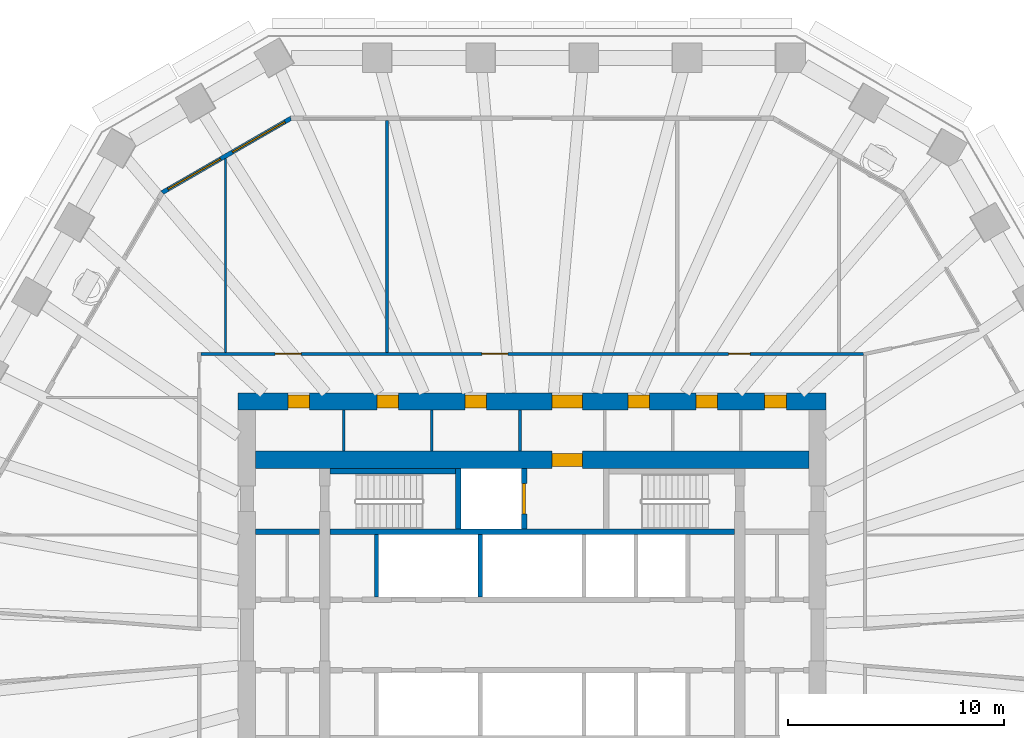
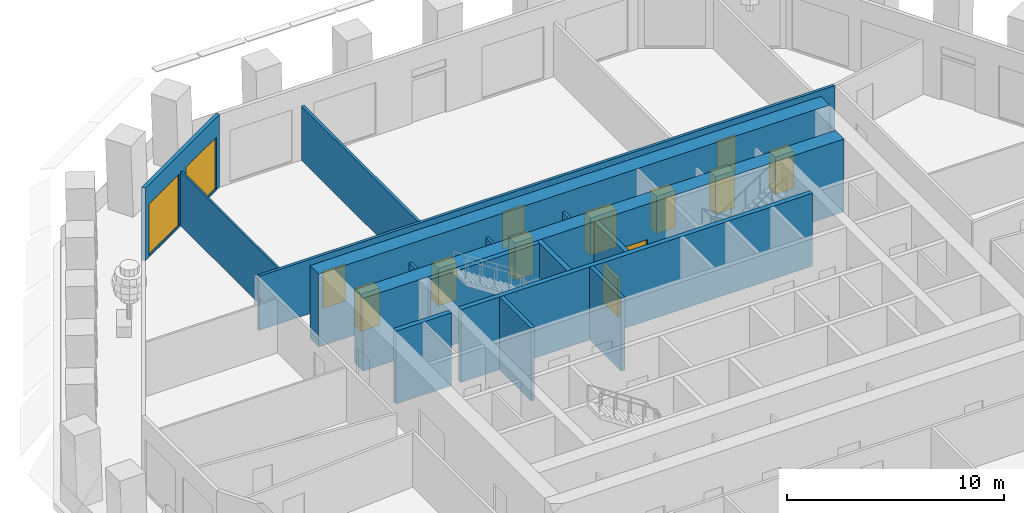
# One storey, part 7 of 13: 16 walls, 12 doors, 2 windows, 14 openings.
"""IFC4 building model written with IfcOpenShell, lengths in metres."""

import ifcopenshell
import ifcopenshell.guid

model = None  # the IFC model being written
_history = None  # IfcOwnerHistory: only IFC2X3 demands one
_inside = {}  # id of a spatial element -> (the spatial element, [elements in it])
_under = {}  # id of a project, library or spatial element -> (it, [spatial elements below it])
_declared = {}  # id of a project -> (the project, [libraries it declares])
_typed = {}  # id of a type object -> (the type object, [elements of that type])
_made_of = {}  # id of a material, layer set ... -> (it, [elements and type objects made of it])


def new_model(schema):
    """Start an empty IFC model of exactly this schema.

    Asked for "IFC4X3", IfcOpenShell would pick the latest addendum, in which some entities
    have other attributes; the version numbers below select the first issue.
    IFC2X3 requires an IfcOwnerHistory on every rooted entity: one is made here for all.
    """
    global model, _history
    if schema == "IFC4X3":
        model = ifcopenshell.file(schema_version=(4, 3, 0, 0))
    else:
        model = ifcopenshell.file(schema=schema)
    _inside.clear()
    _under.clear()
    _declared.clear()
    _typed.clear()
    _made_of.clear()
    _history = None
    if model.schema == "IFC2X3":
        org = make("IfcOrganization", Name="unknown")
        user = make(
            "IfcPersonAndOrganization",
            ThePerson=make("IfcPerson", FamilyName="unknown"),
            TheOrganization=org,
        )
        app = make(
            "IfcApplication",
            ApplicationDeveloper=org,
            Version="unknown",
            ApplicationFullName="unknown",
            ApplicationIdentifier="unknown",
        )
        _history = make(
            "IfcOwnerHistory",
            OwningUser=user,
            OwningApplication=app,
            ChangeAction="ADDED",
            CreationDate=0,
        )
    return model


def make(cls, **values):
    """One entity of the class cls with the attributes given. An attribute that is None is left unset."""
    return model.create_entity(
        cls, **{name: value for name, value in values.items() if value is not None}
    )


def rooted(cls, **values):
    """An entity with a GlobalId (a new one), such as an element, a storey or a relation."""
    return make(cls, GlobalId=ifcopenshell.guid.new(), OwnerHistory=_history, **values)


def si_unit(unit_type, name, prefix=None):
    """IfcSIUnit, for example si_unit("LENGTHUNIT", "METRE", prefix="MILLI")."""
    return make("IfcSIUnit", UnitType=unit_type, Prefix=prefix, Name=name)


def assignment(units):
    """IfcUnitAssignment: the units of a project."""
    return None if units is None else make("IfcUnitAssignment", Units=units)


def point(xyz):
    """IfcCartesianPoint."""
    return None if xyz is None else make("IfcCartesianPoint", Coordinates=xyz)


def direction(xyz):
    """IfcDirection."""
    return None if xyz is None else make("IfcDirection", DirectionRatios=xyz)


def frame(location, z_axis=None, x_axis=None):
    """IfcAxis2Placement3D, a coordinate frame: its origin and axes. An axis left out is left unset."""
    return make(
        "IfcAxis2Placement3D",
        Location=point(location),
        Axis=direction(z_axis),
        RefDirection=direction(x_axis),
    )


def frame_2d(location, x_axis=None):
    """IfcAxis2Placement2D, a coordinate frame in the plane: its origin and x axis."""
    return make(
        "IfcAxis2Placement2D", Location=point(location), RefDirection=direction(x_axis)
    )


def origin():
    """The frame at (0, 0, 0) with its axes left unset."""
    return frame((0.0, 0.0, 0.0))


def place(relative_to, where):
    """IfcLocalPlacement: puts the frame where relative to a parent placement (None: the world)."""
    return make(
        "IfcLocalPlacement", PlacementRelTo=relative_to, RelativePlacement=where
    )


def context(
    kind, dimensions, precision=None, world=None, true_north=None, identifier=None
):
    """IfcGeometricRepresentationContext, for example the 3D "Model" context."""
    return make(
        "IfcGeometricRepresentationContext",
        ContextIdentifier=identifier,
        ContextType=kind,
        CoordinateSpaceDimension=dimensions,
        Precision=precision,
        WorldCoordinateSystem=world,
        TrueNorth=true_north,
    )


def subcontext(parent, identifier, kind, view, scale=None):
    """IfcGeometricRepresentationSubContext, for example "Body" below "Model"."""
    return make(
        "IfcGeometricRepresentationSubContext",
        ContextIdentifier=identifier,
        ContextType=kind,
        ParentContext=parent,
        TargetScale=scale,
        TargetView=view,
    )


def project(units=None, contexts=None):
    """IfcProject with its units and contexts."""
    return rooted(
        "IfcProject",
        Name="project",
        RepresentationContexts=contexts,
        UnitsInContext=assignment(units),
    )


def spatial(cls, under=None, at=None, **own):
    """A site, building, storey or space (cls), placed at a placement, below another one or the project."""
    s = rooted(cls, ObjectPlacement=at, **own)
    if under is not None:
        _under.setdefault(under.id(), (under, []))[1].append(s)
    return s


def polyline(points):
    """IfcPolyline through the points."""
    return make("IfcPolyline", Points=[point(p) for p in points])


def profile(cls, at=None, kind="AREA", **sizes):
    """A parametric profile (cls). Its sizes go by their IFC names, for example OverallWidth=200.0."""
    return make(cls, ProfileType=kind, Position=at, **sizes)


def rectangle(**sizes):
    """IfcRectangleProfileDef."""
    return profile("IfcRectangleProfileDef", **sizes)


def outline(outer, holes=None, kind="AREA"):
    """IfcArbitraryClosedProfileDef: a profile drawn as a closed curve; with holes, ...WithVoids."""
    if holes is None:
        return make("IfcArbitraryClosedProfileDef", ProfileType=kind, OuterCurve=outer)
    return make(
        "IfcArbitraryProfileDefWithVoids",
        ProfileType=kind,
        OuterCurve=outer,
        InnerCurves=holes,
    )


def extrude(swept, where, along, depth):
    """IfcExtrudedAreaSolid: the profile swept, set in the frame where, extruded along a direction by depth."""
    return make(
        "IfcExtrudedAreaSolid",
        SweptArea=swept,
        Position=where,
        ExtrudedDirection=direction(along),
        Depth=depth,
    )


def shape(context_of_items, identifier, shape_type, items):
    """IfcShapeRepresentation: the items that make up one representation, for example the "Body"."""
    return make(
        "IfcShapeRepresentation",
        ContextOfItems=context_of_items,
        RepresentationIdentifier=identifier,
        RepresentationType=shape_type,
        Items=items,
    )


def material(Name=None, Category=None):
    """IfcMaterial."""
    return make("IfcMaterial", Name=Name, Category=Category)


def layer(
    of_material, thickness, ventilated=None, Name=None, Category=None, Priority=None
):
    """IfcMaterialLayer: one layer of a wall or slab, of a material (None: an air gap)."""
    return make(
        "IfcMaterialLayer",
        Material=of_material,
        LayerThickness=thickness,
        IsVentilated=ventilated,
        Name=Name,
        Category=Category,
        Priority=Priority,
    )


def layer_set(layers, Name=None):
    """IfcMaterialLayerSet."""
    return make("IfcMaterialLayerSet", MaterialLayers=layers, LayerSetName=Name)


def made_of(thing, what):
    """Note that an element or type object is made of a material, layer set ...; save() writes the relation."""
    if what is not None:
        _made_of.setdefault(what.id(), (what, []))[1].append(thing)
    return thing


def type_object(cls, material=None, **own):
    """A type object (cls), such as IfcWallType, which elements share."""
    return made_of(rooted(cls, **own), material)


def element(
    cls,
    number,
    at=None,
    inside=None,
    cuts=None,
    type_object=None,
    material=None,
    context=None,
    identifier="Body",
    shape_type=None,
    held_by="IfcProductDefinitionShape",
    body=None,
    shapes=None,
    **own,
):
    """One element of the class cls, such as IfcWall. Its Tag is "e" and its number.

    at: its placement. inside: the storey or other place that contains it. cuts: it is an
    opening in that element (IfcRelVoidsElement). A single representation is given by context,
    identifier, shape_type and body (its items); several are given by shapes. held_by: the class
    of the entity that holds the representations. save() writes the other relations.
    """
    e = rooted(cls, Tag="e%d" % number, ObjectPlacement=at, **own)
    if body is not None:
        shapes = [shape(context, identifier, shape_type, body)]
    if shapes is not None:
        e.Representation = make(held_by, Representations=shapes)
    if inside is not None:
        _inside.setdefault(inside.id(), (inside, []))[1].append(e)
    if cuts is not None:
        rooted(
            "IfcRelVoidsElement", RelatingBuildingElement=cuts, RelatedOpeningElement=e
        )
    if type_object is not None:
        _typed.setdefault(type_object.id(), (type_object, []))[1].append(e)
    return made_of(e, material)


def fill(opening, filler):
    """IfcRelFillsElement: the door or window that sits in an opening."""
    return rooted(
        "IfcRelFillsElement",
        RelatingOpeningElement=opening,
        RelatedBuildingElement=filler,
    )


def aggregate(whole, parts):
    """IfcRelAggregates: a whole, such as a stair, and the parts it consists of."""
    return rooted("IfcRelAggregates", RelatingObject=whole, RelatedObjects=parts)


def save(model, path):
    """Write the relations noted so far, then the file.

    IfcRelAggregates (storeys below a building ...), IfcRelContainedInSpatialStructure (elements
    in a storey), IfcRelDefinesByType, IfcRelAssociatesMaterial and IfcRelDeclares: one each for
    every whole, place, type object, material and project.
    """
    for whole, parts in _under.values():
        aggregate(whole, parts)
    for where, things in _inside.values():
        rooted(
            "IfcRelContainedInSpatialStructure",
            RelatedElements=things,
            RelatingStructure=where,
        )
    for kind, things in _typed.values():
        rooted("IfcRelDefinesByType", RelatedObjects=things, RelatingType=kind)
    for what, things in _made_of.values():
        rooted("IfcRelAssociatesMaterial", RelatedObjects=things, RelatingMaterial=what)
    for by, libraries in _declared.values():
        rooted("IfcRelDeclares", RelatingContext=by, RelatedDefinitions=libraries)
    model.write(path)


model = new_model("IFC4")

# Units and contexts
model_context = context("Model", 3, precision=1e-05, world=origin(), true_north=direction((0.0, 1.0)))
body_context = subcontext(model_context, "Body", "Model", "MODEL_VIEW")
ifc_project = project(units=[si_unit("LENGTHUNIT", "METRE"), si_unit("AREAUNIT", "SQUARE_METRE"), si_unit("VOLUMEUNIT", "CUBIC_METRE"), si_unit("PLANEANGLEUNIT", "RADIAN"), si_unit("MASSUNIT", "GRAM", prefix="KILO")], contexts=[model_context])

# Site, building, storey
site_placement = place(None, origin())
site = spatial("IfcSite", under=ifc_project, at=site_placement, CompositionType="ELEMENT")
building_placement = place(site_placement, origin())
building = spatial("IfcBuilding", under=site, at=building_placement, Name="Frailejon Research Tower", CompositionType="ELEMENT")
storey_placement = place(building_placement, frame((0.0, 0.0, 117.60009765625)))
storey = spatial("IfcBuildingStorey", under=building, at=storey_placement, Name="L25", CompositionType="ELEMENT", Elevation=117.60009765625)

# Walls
ifc_material_1 = material(Name="Plasterboard on steel studs", Category="steel")
ifc_layer_1 = layer(ifc_material_1, 0.125)
ifc_layer_set_1 = layer_set([ifc_layer_1], Name="Core partition 125")
wall_type_1 = type_object("IfcWallType", Name="Core partition 125", PredefinedType="PARTITIONING", material=ifc_layer_set_1)
for number, where, z_axis, x_axis, name in (
    (1, (-8.720703125, 8.5, 0.0), (0.0, 0.0, 1.0), (0.0, 1.0, 0.0), "Core partition"),
    (2, (-4.6416015625, 8.5, 0.0), (0.0, 0.0, 1.0), (0.0, 1.0, 0.0), "Core partition"),
    (3, (-0.5625, 8.5, 0.0), (0.0, 0.0, 1.0), (0.0, 1.0, 0.0), "Core partition"),
):
    element("IfcWall", number, at=place(storey_placement, frame(where, z_axis=z_axis, x_axis=x_axis)), inside=storey, type_object=wall_type_1, Name=name, PredefinedType="PARTITIONING", context=body_context, shape_type="SweptSolid", body=[
        extrude(rectangle(XDim=1.89990234375, YDim=0.125, at=frame_2d((0.949951171875, 0.0))), origin(), (0.0, 0.0, 1.0), 3.0498046875),
    ])

# Wall, openings, doors
ifc_material_2 = material(Name="Concrete C70/85", Category="concrete")
ifc_layer_2 = layer(ifc_material_2, 0.800048828125)
ifc_layer_set_2 = layer_set([ifc_layer_2], Name="Core shear wall 800 C70/85")
wall_type_2 = type_object("IfcWallType", Name="Core shear wall 800 C70/85", PredefinedType="SHEAR", material=ifc_layer_set_2)
wall_1_placement = place(storey_placement, frame((-13.60009765625, 10.800048828125, 0.0), z_axis=(0.0, 0.0, 1.0), x_axis=(1.0, 0.0, 0.0)))
wall_1 = element("IfcWall", 4, at=wall_1_placement, inside=storey, type_object=wall_type_2, Name="Core shear wall", PredefinedType="SHEAR", context=body_context, shape_type="SweptSolid", body=[
    extrude(rectangle(XDim=27.2001953125, YDim=0.800048828125, at=frame_2d((13.60009765625, 0.0))), origin(), (0.0, 0.0, 1.0), 4.099853515625),
])
opening_1_placement = place(wall_1_placement, frame((2.308349609375, 0.0, 0.0)))
opening_1 = element("IfcOpeningElement", 5, at=opening_1_placement, cuts=wall_1, Name="Opening D4", PredefinedType="OPENING", context=body_context, shape_type="SweptSolid", body=[
    extrude(rectangle(XDim=1.0, YDim=2.10009765625, at=frame_2d((0.5, 1.050048828125))), frame((0.0, 0.409912109375, 0.0), z_axis=(0.0, -1.0, 0.0), x_axis=(1.0, 0.0, 0.0)), (0.0, 0.0, 1.0), 0.820068359375),
])
opening_2_placement = place(wall_1_placement, frame((6.418701171875, 0.0, 0.0)))
opening_2 = element("IfcOpeningElement", 6, at=opening_2_placement, cuts=wall_1, Name="Opening D4", PredefinedType="OPENING", context=body_context, shape_type="SweptSolid", body=[
    extrude(rectangle(XDim=1.0, YDim=2.10009765625, at=frame_2d((0.5, 1.050048828125))), frame((0.0, 0.409912109375, 0.0), z_axis=(0.0, -1.0, 0.0), x_axis=(1.0, 0.0, 0.0)), (0.0, 0.0, 1.0), 0.820068359375),
])
opening_3_placement = place(wall_1_placement, frame((10.497802734375, 0.0, 0.0)))
opening_3 = element("IfcOpeningElement", 7, at=opening_3_placement, cuts=wall_1, Name="Opening D4", PredefinedType="OPENING", context=body_context, shape_type="SweptSolid", body=[
    extrude(rectangle(XDim=1.0, YDim=2.10009765625, at=frame_2d((0.5, 1.050048828125))), frame((0.0, 0.409912109375, 0.0), z_axis=(0.0, -1.0, 0.0), x_axis=(1.0, 0.0, 0.0)), (0.0, 0.0, 1.0), 0.820068359375),
])
opening_4_placement = place(wall_1_placement, frame((18.035400390625, 0.0, 0.0)))
opening_4 = element("IfcOpeningElement", 8, at=opening_4_placement, cuts=wall_1, Name="Opening D4", PredefinedType="OPENING", context=body_context, shape_type="SweptSolid", body=[
    extrude(rectangle(XDim=1.0, YDim=2.10009765625, at=frame_2d((0.5, 1.050048828125))), frame((0.0, 0.409912109375, 0.0), z_axis=(0.0, -1.0, 0.0), x_axis=(1.0, 0.0, 0.0)), (0.0, 0.0, 1.0), 0.820068359375),
])
opening_5_placement = place(wall_1_placement, frame((21.18115234375, 0.0, 0.0)))
opening_5 = element("IfcOpeningElement", 9, at=opening_5_placement, cuts=wall_1, Name="Opening D4", PredefinedType="OPENING", context=body_context, shape_type="SweptSolid", body=[
    extrude(rectangle(XDim=1.0, YDim=2.10009765625, at=frame_2d((0.5, 1.050048828125))), frame((0.0, 0.409912109375, 0.0), z_axis=(0.0, -1.0, 0.0), x_axis=(1.0, 0.0, 0.0)), (0.0, 0.0, 1.0), 0.820068359375),
])
opening_6_placement = place(wall_1_placement, frame((24.3583984375, 0.0, 0.0)))
opening_6 = element("IfcOpeningElement", 10, at=opening_6_placement, cuts=wall_1, Name="Opening D4", PredefinedType="OPENING", context=body_context, shape_type="SweptSolid", body=[
    extrude(rectangle(XDim=1.0, YDim=2.10009765625, at=frame_2d((0.5, 1.050048828125))), frame((0.0, 0.409912109375, 0.0), z_axis=(0.0, -1.0, 0.0), x_axis=(1.0, 0.0, 0.0)), (0.0, 0.0, 1.0), 0.820068359375),
])
opening_7_placement = place(wall_1_placement, frame((14.52490234375, 0.0, 0.0)))
opening_7 = element("IfcOpeningElement", 11, at=opening_7_placement, cuts=wall_1, Name="Opening D9", PredefinedType="OPENING", context=body_context, shape_type="SweptSolid", body=[
    extrude(rectangle(XDim=1.39990234375, YDim=2.10009765625, at=frame_2d((0.699951171875, 1.050048828125))), frame((0.0, 0.409912109375, 0.0), z_axis=(0.0, -1.0, 0.0), x_axis=(1.0, 0.0, 0.0)), (0.0, 0.0, 1.0), 0.820068359375),
])
ifc_material_3 = material(Name="Steel", Category="steel")
door_type_1 = type_object("IfcDoorType", Name="Goods lobby door", OperationType="DOUBLE_DOOR_SINGLE_SWING", PredefinedType="DOOR", material=ifc_material_3)
door_1_placement = place(opening_7_placement, origin())
door_1 = element("IfcDoor", 12, at=door_1_placement, inside=storey, type_object=door_type_1, Name="Passage door", OperationType="DOUBLE_DOOR_SINGLE_SWING", OverallHeight=2.10009765625, OverallWidth=1.39990234375, PredefinedType="DOOR", context=body_context, shape_type="SweptSolid", body=[
    extrude(rectangle(XDim=1.39990234375, YDim=2.10009765625, at=frame_2d((0.699951171875, 1.050048828125))), frame((0.0, 0.300048828125, 0.0), z_axis=(0.0, -1.0, 0.0), x_axis=(1.0, 0.0, 0.0)), (0.0, 0.0, 1.0), 0.60009765625),
])
fill(opening_7, door_1)
ifc_material_4 = material(Name="Steel", Category="steel")
door_type_2 = type_object("IfcDoorType", Name="Service door", OperationType="SINGLE_SWING_LEFT", PredefinedType="DOOR", material=ifc_material_4)
door_2_placement = place(opening_1_placement, origin())
door_2 = element("IfcDoor", 13, at=door_2_placement, inside=storey, type_object=door_type_2, Name="Room door", OperationType="SINGLE_SWING_LEFT", OverallHeight=2.10009765625, OverallWidth=1.0, PredefinedType="DOOR", context=body_context, shape_type="SweptSolid", body=[
    extrude(rectangle(XDim=1.0, YDim=2.10009765625, at=frame_2d((0.5, 1.050048828125))), frame((0.0, 0.300048828125, 0.0), z_axis=(0.0, -1.0, 0.0), x_axis=(1.0, 0.0, 0.0)), (0.0, 0.0, 1.0), 0.60009765625),
])
fill(opening_1, door_2)
door_3_placement = place(opening_2_placement, origin())
door_3 = element("IfcDoor", 14, at=door_3_placement, inside=storey, type_object=door_type_2, Name="Room door", OperationType="SINGLE_SWING_RIGHT", OverallHeight=2.10009765625, OverallWidth=1.0, PredefinedType="DOOR", context=body_context, shape_type="SweptSolid", body=[
    extrude(rectangle(XDim=1.0, YDim=2.10009765625, at=frame_2d((0.5, 1.050048828125))), frame((0.0, 0.300048828125, 0.0), z_axis=(0.0, -1.0, 0.0), x_axis=(1.0, 0.0, 0.0)), (0.0, 0.0, 1.0), 0.60009765625),
])
fill(opening_2, door_3)
door_4_placement = place(opening_3_placement, origin())
door_4 = element("IfcDoor", 15, at=door_4_placement, inside=storey, type_object=door_type_2, Name="Room door", OperationType="SINGLE_SWING_LEFT", OverallHeight=2.10009765625, OverallWidth=1.0, PredefinedType="DOOR", context=body_context, shape_type="SweptSolid", body=[
    extrude(rectangle(XDim=1.0, YDim=2.10009765625, at=frame_2d((0.5, 1.050048828125))), frame((0.0, 0.300048828125, 0.0), z_axis=(0.0, -1.0, 0.0), x_axis=(1.0, 0.0, 0.0)), (0.0, 0.0, 1.0), 0.60009765625),
])
fill(opening_3, door_4)
door_5_placement = place(opening_4_placement, origin())
door_5 = element("IfcDoor", 16, at=door_5_placement, inside=storey, type_object=door_type_2, Name="Room door", OperationType="SINGLE_SWING_RIGHT", OverallHeight=2.10009765625, OverallWidth=1.0, PredefinedType="DOOR", context=body_context, shape_type="SweptSolid", body=[
    extrude(rectangle(XDim=1.0, YDim=2.10009765625, at=frame_2d((0.5, 1.050048828125))), frame((0.0, 0.300048828125, 0.0), z_axis=(0.0, -1.0, 0.0), x_axis=(1.0, 0.0, 0.0)), (0.0, 0.0, 1.0), 0.60009765625),
])
fill(opening_4, door_5)
door_6_placement = place(opening_5_placement, origin())
door_6 = element("IfcDoor", 17, at=door_6_placement, inside=storey, type_object=door_type_2, Name="Room door", OperationType="SINGLE_SWING_LEFT", OverallHeight=2.10009765625, OverallWidth=1.0, PredefinedType="DOOR", context=body_context, shape_type="SweptSolid", body=[
    extrude(rectangle(XDim=1.0, YDim=2.10009765625, at=frame_2d((0.5, 1.050048828125))), frame((0.0, 0.300048828125, 0.0), z_axis=(0.0, -1.0, 0.0), x_axis=(1.0, 0.0, 0.0)), (0.0, 0.0, 1.0), 0.60009765625),
])
fill(opening_5, door_6)
door_7_placement = place(opening_6_placement, origin())
door_7 = element("IfcDoor", 18, at=door_7_placement, inside=storey, type_object=door_type_2, Name="Room door", OperationType="SINGLE_SWING_RIGHT", OverallHeight=2.10009765625, OverallWidth=1.0, PredefinedType="DOOR", context=body_context, shape_type="SweptSolid", body=[
    extrude(rectangle(XDim=1.0, YDim=2.10009765625, at=frame_2d((0.5, 1.050048828125))), frame((0.0, 0.300048828125, 0.0), z_axis=(0.0, -1.0, 0.0), x_axis=(1.0, 0.0, 0.0)), (0.0, 0.0, 1.0), 0.60009765625),
])
fill(opening_6, door_7)

# Wall, opening, door
wall_2_placement = place(storey_placement, frame((-12.800048828125, 8.10009765625, 0.0), z_axis=(0.0, 0.0, 1.0), x_axis=(1.0, 0.0, 0.0)))
wall_2 = element("IfcWall", 19, at=wall_2_placement, inside=storey, type_object=wall_type_2, Name="Core shear wall", PredefinedType="SHEAR", context=body_context, shape_type="SweptSolid", body=[
    extrude(rectangle(XDim=25.60009765625, YDim=0.800048828125, at=frame_2d((12.800048828125, 0.0))), origin(), (0.0, 0.0, 1.0), 4.099853515625),
])
opening_8_placement = place(wall_2_placement, frame((13.72509765625, 0.0, 0.0)))
opening_8 = element("IfcOpeningElement", 20, at=opening_8_placement, cuts=wall_2, Name="Opening D9", PredefinedType="OPENING", context=body_context, shape_type="SweptSolid", body=[
    extrude(rectangle(XDim=1.39990234375, YDim=2.10009765625, at=frame_2d((0.699951171875, 1.050048828125))), frame((0.0, 0.409912109375, 0.0), z_axis=(0.0, -1.0, 0.0), x_axis=(1.0, 0.0, 0.0)), (0.0, 0.0, 1.0), 0.820068359375),
])
door_8_placement = place(opening_8_placement, origin())
door_8 = element("IfcDoor", 21, at=door_8_placement, inside=storey, type_object=door_type_1, Name="Goods lobby door", OperationType="DOUBLE_DOOR_SINGLE_SWING", OverallHeight=2.10009765625, OverallWidth=1.39990234375, PredefinedType="DOOR", context=body_context, shape_type="SweptSolid", body=[
    extrude(rectangle(XDim=1.39990234375, YDim=2.10009765625, at=frame_2d((0.699951171875, 1.050048828125))), frame((0.0, 0.300048828125, 0.0), z_axis=(0.0, -1.0, 0.0), x_axis=(1.0, 0.0, 0.0)), (0.0, 0.0, 1.0), 0.60009765625),
])
fill(opening_8, door_8)

# Wall, openings, doors
ifc_material_5 = material(Name="Gypsum board and masonry partition", Category="masonry")
ifc_layer_3 = layer(ifc_material_5, 0.14990234375)
ifc_layer_set_3 = layer_set([ifc_layer_3], Name="Corridor wall EI 60, gypsum on steel studs 150")
wall_type_3 = type_object("IfcWallType", Name="Corridor wall EI 60, gypsum on steel studs 150", PredefinedType="PARTITIONING", material=ifc_layer_set_3)
wall_3_placement = place(storey_placement, frame((-15.324951171875, 13.0, 0.0), z_axis=(0.0, 0.0, 1.0), x_axis=(1.0, 0.0, 0.0)))
wall_3 = element("IfcWall", 22, at=wall_3_placement, inside=storey, type_object=wall_type_3, Name="T:IW:L25:003", PredefinedType="PARTITIONING", context=body_context, shape_type="SweptSolid", body=[
    extrude(rectangle(XDim=30.64990234375, YDim=0.14990234375, at=frame_2d((15.324951171875, 0.0))), origin(), (0.0, 0.0, 1.0), 3.0498046875),
])
opening_9_placement = place(wall_3_placement, frame((24.411865234375, 0.0, 0.0)))
opening_9 = element("IfcOpeningElement", 23, at=opening_9_placement, cuts=wall_3, Name="Opening D1618", PredefinedType="OPENING", context=body_context, shape_type="SweptSolid", body=[
    extrude(rectangle(XDim=1.0, YDim=2.10009765625, at=frame_2d((0.5, 1.050048828125))), frame((0.0, 0.0849609375, 0.0), z_axis=(0.0, -1.0, 0.0), x_axis=(1.0, 0.0, 0.0)), (0.0, 0.0, 1.0), 0.169921875),
])
opening_10_placement = place(wall_3_placement, frame((12.99560546875, 0.0, 0.0)))
opening_10 = element("IfcOpeningElement", 24, at=opening_10_placement, cuts=wall_3, Name="Opening D1619", PredefinedType="OPENING", context=body_context, shape_type="SweptSolid", body=[
    extrude(rectangle(XDim=1.199951171875, YDim=2.10009765625, at=frame_2d((0.60009765625, 1.050048828125))), frame((0.0, 0.0849609375, 0.0), z_axis=(0.0, -1.0, 0.0), x_axis=(1.0, 0.0, 0.0)), (0.0, 0.0, 1.0), 0.169921875),
])
opening_11_placement = place(wall_3_placement, frame((3.43505859375, 0.0, 0.0)))
opening_11 = element("IfcOpeningElement", 25, at=opening_11_placement, cuts=wall_3, Name="Opening D1620", PredefinedType="OPENING", context=body_context, shape_type="SweptSolid", body=[
    extrude(rectangle(XDim=1.199951171875, YDim=2.10009765625, at=frame_2d((0.60009765625, 1.050048828125))), frame((0.0, 0.0849609375, 0.0), z_axis=(0.0, -1.0, 0.0), x_axis=(1.0, 0.0, 0.0)), (0.0, 0.0, 1.0), 0.169921875),
])
ifc_material_6 = material(Name="Timber door leaf", Category="wood")
door_type_3 = type_object("IfcDoorType", Name="Door laboratory, timber, vision panel 1200", OperationType="NOTDEFINED", PredefinedType="DOOR", material=ifc_material_6)
door_9_placement = place(opening_10_placement, origin())
door_9 = element("IfcDoor", 26, at=door_9_placement, inside=storey, type_object=door_type_3, Name="D1619", OperationType="DOUBLE_DOOR_SINGLE_SWING", OverallHeight=2.10009765625, OverallWidth=1.199951171875, PredefinedType="DOOR", context=body_context, shape_type="SweptSolid", body=[
    extrude(rectangle(XDim=1.199951171875, YDim=2.10009765625, at=frame_2d((0.60009765625, 1.050048828125))), frame((0.0, 0.02490234375, 0.0), z_axis=(0.0, -1.0, 0.0), x_axis=(1.0, 0.0, 0.0)), (0.0, 0.0, 1.0), 0.050048828125),
])
fill(opening_10, door_9)
ifc_material_7 = material(Name="Timber door leaf", Category="wood")
door_type_4 = type_object("IfcDoorType", Name="Door single leaf, timber, steel frame 1000", OperationType="NOTDEFINED", PredefinedType="DOOR", material=ifc_material_7)
door_10_placement = place(opening_9_placement, origin())
door_10 = element("IfcDoor", 27, at=door_10_placement, inside=storey, type_object=door_type_4, Name="D1618", OperationType="SINGLE_SWING_RIGHT", OverallHeight=2.10009765625, OverallWidth=1.0, PredefinedType="DOOR", context=body_context, shape_type="SweptSolid", body=[
    extrude(rectangle(XDim=1.0, YDim=2.10009765625, at=frame_2d((0.5, 1.050048828125))), frame((0.0, 0.02490234375, 0.0), z_axis=(0.0, -1.0, 0.0), x_axis=(1.0, 0.0, 0.0)), (0.0, 0.0, 1.0), 0.050048828125),
])
fill(opening_9, door_10)
ifc_material_8 = material(Name="Timber door leaf", Category="wood")
door_type_5 = type_object("IfcDoorType", Name="Door single leaf, timber, steel frame 1200", OperationType="NOTDEFINED", PredefinedType="DOOR", material=ifc_material_8)
door_11_placement = place(opening_11_placement, origin())
door_11 = element("IfcDoor", 28, at=door_11_placement, inside=storey, type_object=door_type_5, Name="D1620", OperationType="DOUBLE_DOOR_SINGLE_SWING", OverallHeight=2.10009765625, OverallWidth=1.199951171875, PredefinedType="DOOR", context=body_context, shape_type="SweptSolid", body=[
    extrude(rectangle(XDim=1.199951171875, YDim=2.10009765625, at=frame_2d((0.60009765625, 1.050048828125))), frame((0.0, 0.02490234375, 0.0), z_axis=(0.0, -1.0, 0.0), x_axis=(1.0, 0.0, 0.0)), (0.0, 0.0, 1.0), 0.050048828125),
])
fill(opening_11, door_11)

# Walls
ifc_material_9 = material(Name="Gypsum board and masonry partition", Category="masonry")
ifc_layer_4 = layer(ifc_material_9, 0.14990234375)
ifc_layer_set_4 = layer_set([ifc_layer_4], Name="Laboratory partition, blockwork 150")
wall_type_4 = type_object("IfcWallType", Name="Laboratory partition, blockwork 150", PredefinedType="PARTITIONING", material=ifc_layer_set_4)
wall_4_placement = place(storey_placement, frame((-6.715087890625, 13.074951171875, 0.0), z_axis=(0.0, 0.0, 1.0), x_axis=(0.0, 1.0, 0.0)))
element("IfcWall", 29, at=wall_4_placement, inside=storey, type_object=wall_type_4, Name="T:IW:L25:014", PredefinedType="PARTITIONING", context=body_context, shape_type="SweptSolid", body=[
    extrude(rectangle(XDim=10.72509765625, YDim=0.14990234375, at=frame_2d((5.362548828125, 0.0))), origin(), (0.0, 0.0, 1.0), 3.0498046875),
])
ifc_material_10 = material(Name="Gypsum board and masonry partition", Category="masonry")
ifc_layer_5 = layer(ifc_material_10, 0.10009765625)
ifc_layer_set_5 = layer_set([ifc_layer_5], Name="Partition, gypsum on steel studs 100")
wall_type_5 = type_object("IfcWallType", Name="Partition, gypsum on steel studs 100", PredefinedType="PARTITIONING", material=ifc_layer_set_5)
wall_5_placement = place(storey_placement, frame((-14.19189453125, 13.074951171875, 0.0), z_axis=(0.0, 0.0, 1.0), x_axis=(0.0, 1.0, 0.0)))
element("IfcWall", 30, at=wall_5_placement, inside=storey, type_object=wall_type_5, Name="T:IW:L25:022", PredefinedType="PARTITIONING", context=body_context, shape_type="SweptSolid", body=[
    extrude(rectangle(XDim=8.962158203125, YDim=0.10009765625, at=frame_2d((4.48095703125, 0.0))), origin(), (0.0, 0.0, 1.0), 3.0498046875),
])
ifc_material_11 = material(Name="Concrete C70/85", Category="concrete")
ifc_layer_6 = layer(ifc_material_11, 0.199951171875)
ifc_layer_set_6 = layer_set([ifc_layer_6], Name="Shaft wall 200 C70/85")
wall_type_6 = type_object("IfcWallType", Name="Shaft wall 200 C70/85", PredefinedType="SOLIDWALL", material=ifc_layer_set_6)
for number, where, z_axis, x_axis, name in (
    (31, (-7.199951171875, 1.75, 0.0), (0.0, 0.0, 1.0), (0.0, 1.0, 0.0), "Shaft wall"),
    (32, (-2.39990234375, 1.75, 0.0), (0.0, 0.0, 1.0), (0.0, 1.0, 0.0), "Shaft wall"),
):
    element("IfcWall", number, at=place(storey_placement, frame(where, z_axis=z_axis, x_axis=x_axis)), inside=storey, type_object=wall_type_6, Name=name, PredefinedType="SOLIDWALL", context=body_context, shape_type="SweptSolid", body=[
        extrude(rectangle(XDim=2.89990234375, YDim=0.199951171875, at=frame_2d((1.449951171875, 0.0))), origin(), (0.0, 0.0, 1.0), 4.099853515625),
    ])
ifc_material_12 = material(Name="Concrete C70/85", Category="concrete")
ifc_layer_7 = layer(ifc_material_12, 0.25)
ifc_layer_set_7 = layer_set([ifc_layer_7], Name="Shaft wall 250 C70/85")
wall_type_7 = type_object("IfcWallType", Name="Shaft wall 250 C70/85", PredefinedType="SOLIDWALL", material=ifc_layer_set_7)
wall_6_placement = place(storey_placement, frame((-12.800048828125, 4.77490234375, 0.0), z_axis=(0.0, 0.0, 1.0), x_axis=(1.0, 0.0, 0.0)))
element("IfcWall", 33, at=wall_6_placement, inside=storey, type_object=wall_type_7, Name="Shaft wall", PredefinedType="SOLIDWALL", context=body_context, shape_type="SweptSolid", body=[
    extrude(rectangle(XDim=2.949951171875, YDim=0.25, at=frame_2d((1.47509765625, 0.0))), origin(), (0.0, 0.0, 1.0), 4.099853515625),
])
wall_7_placement = place(storey_placement, frame((-9.35009765625, 4.77490234375, 0.0), z_axis=(0.0, 0.0, 1.0), x_axis=(1.0, 0.0, 0.0)))
element("IfcWall", 34, at=wall_7_placement, inside=storey, type_object=wall_type_7, Name="Shaft wall", PredefinedType="SOLIDWALL", context=body_context, shape_type="SweptSolid", body=[
    extrude(rectangle(XDim=18.7001953125, YDim=0.25, at=frame_2d((9.35009765625, 0.0))), origin(), (0.0, 0.0, 1.0), 4.099853515625),
])
wall_8_placement = place(storey_placement, frame((-9.35009765625, 7.574951171875, 0.0), z_axis=(0.0, 0.0, 1.0), x_axis=(1.0, 0.0, 0.0)))
element("IfcWall", 35, at=wall_8_placement, inside=storey, type_object=wall_type_7, Name="Shaft wall", PredefinedType="SOLIDWALL", context=body_context, shape_type="SweptSolid", body=[
    extrude(rectangle(XDim=5.800048828125, YDim=0.25, at=frame_2d((2.89990234375, 0.0))), origin(), (0.0, 0.0, 1.0), 4.099853515625),
])
wall_9_placement = place(storey_placement, frame((-3.425048828125, 4.89990234375, 0.0), z_axis=(0.0, 0.0, 1.0), x_axis=(0.0, 1.0, 0.0)))
element("IfcWall", 36, at=wall_9_placement, inside=storey, type_object=wall_type_7, Name="Shaft wall", PredefinedType="SOLIDWALL", context=body_context, shape_type="SweptSolid", body=[
    extrude(rectangle(XDim=2.800048828125, YDim=0.25, at=frame_2d((1.39990234375, 0.0))), origin(), (0.0, 0.0, 1.0), 4.099853515625),
])

# Wall, opening, door
wall_10_placement = place(storey_placement, frame((-0.375, 4.89990234375, 0.0), z_axis=(0.0, 0.0, 1.0), x_axis=(0.0, 1.0, 0.0)))
wall_10 = element("IfcWall", 37, at=wall_10_placement, inside=storey, type_object=wall_type_7, Name="Shaft wall", PredefinedType="SOLIDWALL", context=body_context, shape_type="SweptSolid", body=[
    extrude(rectangle(XDim=2.800048828125, YDim=0.25, at=frame_2d((1.39990234375, 0.0))), origin(), (0.0, 0.0, 1.0), 4.099853515625),
])
opening_12_placement = place(wall_10_placement, frame((0.699951171875, 0.0, 0.0)))
opening_12 = element("IfcOpeningElement", 38, at=opening_12_placement, cuts=wall_10, Name="Opening LD2", PredefinedType="OPENING", context=body_context, shape_type="SweptSolid", body=[
    extrude(rectangle(XDim=1.39990234375, YDim=2.10009765625, at=frame_2d((0.699951171875, 1.050048828125))), frame((0.0, 0.135009765625, 0.0), z_axis=(0.0, -1.0, 0.0), x_axis=(1.0, 0.0, 0.0)), (0.0, 0.0, 1.0), 0.27001953125),
])
ifc_material_13 = material(Name="Stainless steel", Category="steel")
door_type_6 = type_object("IfcDoorType", Name="Goods landing door", OperationType="DOUBLE_DOOR_SLIDING", PredefinedType="DOOR", material=ifc_material_13)
door_12_placement = place(opening_12_placement, origin())
door_12 = element("IfcDoor", 39, at=door_12_placement, inside=storey, type_object=door_type_6, Name="Lift landing door", OperationType="DOUBLE_DOOR_SLIDING", OverallHeight=2.10009765625, OverallWidth=1.39990234375, PredefinedType="DOOR", context=body_context, shape_type="SweptSolid", body=[
    extrude(rectangle(XDim=1.39990234375, YDim=2.10009765625, at=frame_2d((0.699951171875, 1.050048828125))), frame((0.0, 0.074951171875, 0.0), z_axis=(0.0, -1.0, 0.0), x_axis=(1.0, 0.0, 0.0)), (0.0, 0.0, 1.0), 0.14990234375),
])
fill(opening_12, door_12)

# Wall, openings, windows
ifc_material_14 = material(Name="Concrete C40/50 precast window wall panel", Category="concrete")
ifc_layer_8 = layer(ifc_material_14, 0.199951171875)
ifc_layer_set_8 = layer_set([ifc_layer_8], Name="Window wall 200")
wall_type_8 = type_object("IfcWallType", Name="Window wall 200", PredefinedType="SOLIDWALL", material=ifc_layer_set_8)
wall_11_placement = place(storey_placement, frame((-11.1650390625, 23.89990234375, 0.0), z_axis=(0.0, 0.0, 1.0), x_axis=(-0.866029458321, -0.49999297727, 0.0)))
wall_11 = element("IfcWall", 40, at=wall_11_placement, inside=storey, type_object=wall_type_8, Name="Exterior wall L25", PredefinedType="SOLIDWALL", context=body_context, shape_type="SweptSolid", body=[
    extrude(outline(polyline([(-0.02685546875, -0.10009765625), (1.1279296875, -0.10009765625), (2.282470703125, -0.10009765625), (3.437255859375, -0.10009765625), (4.592041015625, -0.10009765625), (5.74658203125, -0.10009765625), (6.9013671875, -0.10009765625), (6.84765625, 0.10009765625), (5.7109375, 0.10009765625), (4.573974609375, 0.10009765625), (3.437255859375, 0.10009765625), (2.300537109375, 0.10009765625), (1.16357421875, 0.10009765625), (0.02685546875, 0.10009765625), (-0.02685546875, -0.10009765625)])), origin(), (0.0, 0.0, 1.0), 4.099853515625),
])
opening_13_placement = place(wall_11_placement, frame((0.318603515625, 0.0, 0.10009765625)))
opening_13 = element("IfcOpeningElement", 41, at=opening_13_placement, cuts=wall_11, Name="Opening W3", PredefinedType="OPENING", context=body_context, shape_type="SweptSolid", body=[
    extrude(rectangle(XDim=2.800048828125, YDim=2.89990234375, at=frame_2d((1.39990234375, 1.449951171875))), frame((0.0, 0.10986328125, 0.0), z_axis=(0.0, -1.0, 0.0), x_axis=(1.0, 0.0, 0.0)), (0.0, 0.0, 1.0), 0.219970703125),
])
opening_14_placement = place(wall_11_placement, frame((3.756103515625, 0.0, 0.10009765625)))
opening_14 = element("IfcOpeningElement", 42, at=opening_14_placement, cuts=wall_11, Name="Opening W3", PredefinedType="OPENING", context=body_context, shape_type="SweptSolid", body=[
    extrude(rectangle(XDim=2.800048828125, YDim=2.89990234375, at=frame_2d((1.39990234375, 1.449951171875))), frame((0.0, 0.10986328125, 0.0), z_axis=(0.0, -1.0, 0.0), x_axis=(1.0, 0.0, 0.0)), (0.0, 0.0, 1.0), 0.219970703125),
])
ifc_material_15 = material(Name="Aluminium framed double glazing", Category="aluminium")
window_type = type_object("IfcWindowType", Name="Window 2800x2900", PartitioningType="SINGLE_PANEL", PredefinedType="WINDOW", material=ifc_material_15)
window_1_placement = place(opening_13_placement, origin())
window_1 = element("IfcWindow", 43, at=window_1_placement, inside=storey, type_object=window_type, Name="Window L25", OverallHeight=2.89990234375, OverallWidth=2.800048828125, PartitioningType="SINGLE_PANEL", PredefinedType="WINDOW", context=body_context, shape_type="SweptSolid", body=[
    extrude(rectangle(XDim=2.800048828125, YDim=2.89990234375, at=frame_2d((1.39990234375, 1.449951171875))), frame((0.0, 0.030029296875, 0.0), z_axis=(0.0, -1.0, 0.0), x_axis=(1.0, 0.0, 0.0)), (0.0, 0.0, 1.0), 0.06005859375),
])
fill(opening_13, window_1)
window_2_placement = place(opening_14_placement, origin())
window_2 = element("IfcWindow", 44, at=window_2_placement, inside=storey, type_object=window_type, Name="Window L25", OverallHeight=2.89990234375, OverallWidth=2.800048828125, PartitioningType="SINGLE_PANEL", PredefinedType="WINDOW", context=body_context, shape_type="SweptSolid", body=[
    extrude(rectangle(XDim=2.800048828125, YDim=2.89990234375, at=frame_2d((1.39990234375, 1.449951171875))), frame((0.0, 0.030029296875, 0.0), z_axis=(0.0, -1.0, 0.0), x_axis=(1.0, 0.0, 0.0)), (0.0, 0.0, 1.0), 0.06005859375),
])
fill(opening_14, window_2)

save(model, "model.ifc")
